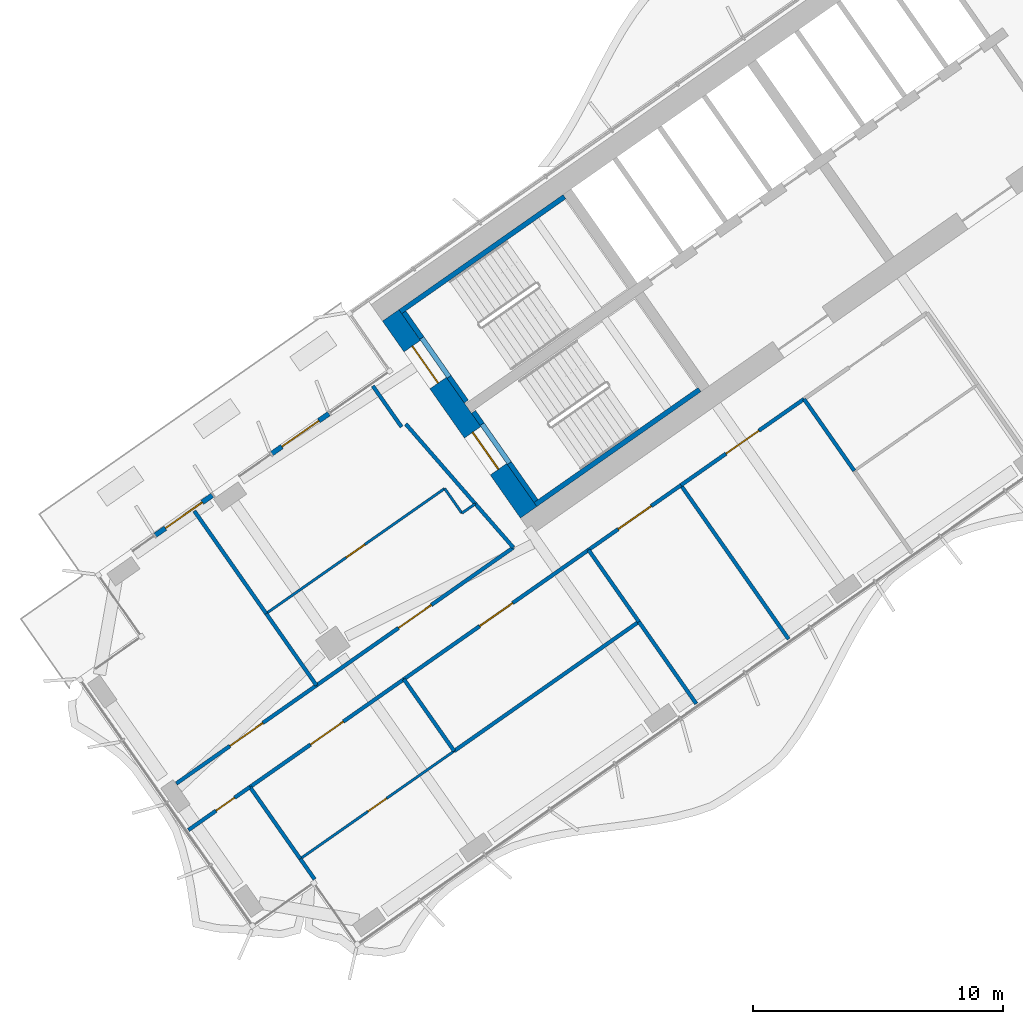
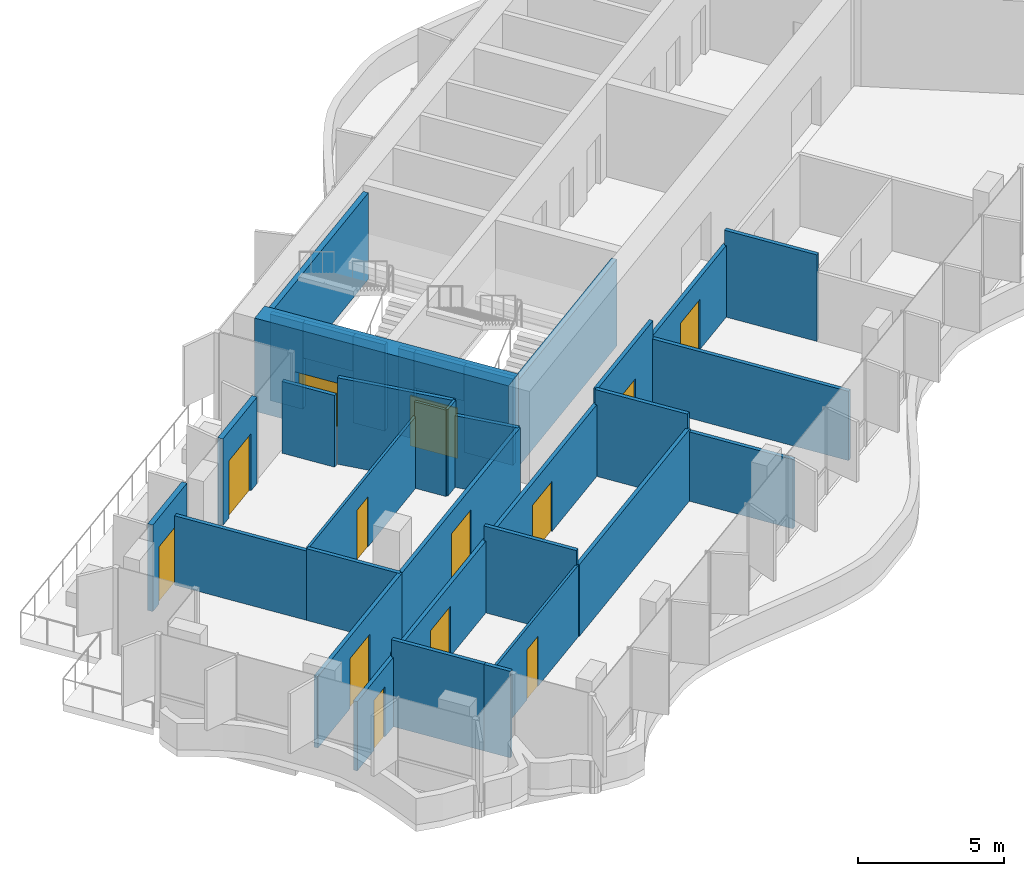
# One storey, part 13 of 24: 35 walls, 13 doors, 13 openings.
"""IFC4 building model written with IfcOpenShell, lengths in metres."""

from ifc_helpers import new_model, si_unit, direction, frame, frame_2d, origin, place, context, subcontext, project, spatial, polyline, rectangle, outline, extrude, material, layer, layer_set, type_object, element, fill, save


model = new_model("IFC4")

# Units and contexts
model_context = context("Model", 3, precision=1e-05, world=origin(), true_north=direction((0.0, 1.0)))
body_context = subcontext(model_context, "Body", "Model", "MODEL_VIEW")
ifc_project = project(units=[si_unit("LENGTHUNIT", "METRE"), si_unit("AREAUNIT", "SQUARE_METRE"), si_unit("VOLUMEUNIT", "CUBIC_METRE"), si_unit("PLANEANGLEUNIT", "RADIAN"), si_unit("MASSUNIT", "GRAM", prefix="KILO")], contexts=[model_context])

# Site, building, storey
site_placement = place(None, origin())
site = spatial("IfcSite", under=ifc_project, at=site_placement, CompositionType="ELEMENT")
building_placement = place(site_placement, origin())
building = spatial("IfcBuilding", under=site, at=building_placement, Name="Tel Ilan Convention Tower", CompositionType="ELEMENT")
storey_placement = place(building_placement, frame((0.0, 0.0, 132.0)))
storey = spatial("IfcBuildingStorey", under=building, at=storey_placement, Name="L29", CompositionType="ELEMENT", Elevation=132.0)

# Wall, openings, doors
ifc_material_1 = material(Name="Concrete C50/60", Category="concrete")
ifc_layer_1 = layer(ifc_material_1, 0.800048828125)
ifc_layer_set_1 = layer_set([ifc_layer_1], Name="Core Shear Wall 800 mm C50/60")
wall_type_1 = type_object("IfcWallType", Name="Core Shear Wall 800 mm C50/60", PredefinedType="SHEAR", material=ifc_layer_set_1)
wall_1_placement = place(storey_placement, frame((-21.6748046875, -15.4208984375, 0.0), z_axis=(0.0, 0.0, 1.0), x_axis=(-0.573581815061, 0.819148278049, 0.0)))
wall_1 = element("IfcWall", 1, at=wall_1_placement, inside=storey, type_object=wall_type_1, Name="L29 core wall W-end", PredefinedType="SHEAR", context=body_context, shape_type="SweptSolid", body=[
    extrude(outline(polyline([(0.0, 0.39990234375), (0.0, -0.39990234375), (9.599853515625, -0.400146484375), (9.599853515625, 0.39990234375), (0.0, 0.39990234375)])), origin(), (0.0, 0.0, 1.0), 3.89990234375),
])
opening_1_placement = place(wall_1_placement, frame((6.300048828125, 0.0, 0.0)))
opening_1 = element("IfcOpeningElement", 2, at=opening_1_placement, cuts=wall_1, Name="Opening SD2301", PredefinedType="OPENING", context=body_context, shape_type="SweptSolid", body=[
    extrude(rectangle(XDim=1.800048828125, YDim=2.10009765625, at=frame_2d((0.89990234375, 1.050048828125))), frame((0.0, 0.409912109375, 0.0), z_axis=(0.0, -1.0, 0.0), x_axis=(1.0, 0.0, 0.0)), (0.0, 0.0, 1.0), 0.820068359375),
])
opening_2_placement = place(wall_1_placement, frame((2.10009765625, 0.0, 0.0)))
opening_2 = element("IfcOpeningElement", 3, at=opening_2_placement, cuts=wall_1, Name="Opening SD2302", PredefinedType="OPENING", context=body_context, shape_type="SweptSolid", body=[
    extrude(rectangle(XDim=1.800048828125, YDim=2.10009765625, at=frame_2d((0.89990234375, 1.050048828125))), frame((0.0, 0.409912109375, 0.0), z_axis=(0.0, -1.0, 0.0), x_axis=(1.0, 0.0, 0.0)), (0.0, 0.0, 1.0), 0.820068359375),
])
ifc_material_2 = material(Name="Galvanised Steel Door Leaf", Category="steel")
door_type_1 = type_object("IfcDoorType", Name="Stair Fire Door 1800 x 2100 FD60S", OperationType="NOTDEFINED", PredefinedType="DOOR", material=ifc_material_2)
door_1_placement = place(opening_1_placement, origin())
door_1 = element("IfcDoor", 4, at=door_1_placement, inside=storey, type_object=door_type_1, Name="Stair S1 door", OperationType="DOUBLE_DOOR_SINGLE_SWING", OverallHeight=2.10009765625, OverallWidth=1.800048828125, PredefinedType="DOOR", context=body_context, shape_type="SweptSolid", body=[
    extrude(rectangle(XDim=1.800048828125, YDim=2.10009765625, at=frame_2d((0.89990234375, 1.050048828125))), frame((0.0, 0.02490234375, 0.0), z_axis=(0.0, -1.0, 0.0), x_axis=(1.0, 0.0, 0.0)), (0.0, 0.0, 1.0), 0.050048828125),
])
fill(opening_1, door_1)
door_2_placement = place(opening_2_placement, origin())
door_2 = element("IfcDoor", 5, at=door_2_placement, inside=storey, type_object=door_type_1, Name="Stair S2 door", OperationType="DOUBLE_DOOR_SINGLE_SWING", OverallHeight=2.10009765625, OverallWidth=1.800048828125, PredefinedType="DOOR", context=body_context, shape_type="SweptSolid", body=[
    extrude(rectangle(XDim=1.800048828125, YDim=2.10009765625, at=frame_2d((0.89990234375, 1.050048828125))), frame((0.0, 0.02490234375, 0.0), z_axis=(0.0, -1.0, 0.0), x_axis=(1.0, 0.0, 0.0)), (0.0, 0.0, 1.0), 0.050048828125),
])
fill(opening_2, door_2)

# Wall, opening, door
ifc_material_3 = material(Name="Plasterboard on Steel Studs", Category="steel")
ifc_layer_2 = layer(ifc_material_3, 0.14990234375)
ifc_layer_set_2 = layer_set([ifc_layer_2], Name="Fire-rated Partition 150 EI 60")
wall_type_2 = type_object("IfcWallType", Name="Fire-rated Partition 150 EI 60", PredefinedType="PARTITIONING", material=ifc_layer_set_2)
wall_2_placement = place(storey_placement, frame((-30.145751953125, -22.329833984375, 0.0), z_axis=(0.0, 0.0, 1.0), x_axis=(0.819150657747, 0.573578416533, 0.0)))
wall_2 = element("IfcWall", 6, at=wall_2_placement, inside=storey, type_object=wall_type_2, Name="Partition 007", PredefinedType="PARTITIONING", context=body_context, shape_type="SweptSolid", body=[
    extrude(rectangle(XDim=9.5986328125, YDim=0.14990234375, at=frame_2d((4.79931640625, 0.0))), origin(), (0.0, 0.0, 1.0), 3.0),
])
opening_3_placement = place(wall_2_placement, frame((3.99951171875, 0.0, 0.0)))
opening_3 = element("IfcOpeningElement", 7, at=opening_3_placement, cuts=wall_2, Name="Opening L29-009", PredefinedType="OPENING", context=body_context, shape_type="SweptSolid", body=[
    extrude(rectangle(XDim=1.60009765625, YDim=2.10009765625, at=frame_2d((0.800048828125, 1.050048828125))), frame((0.0, 0.0849609375, 0.0), z_axis=(0.0, -1.0, 0.0), x_axis=(1.0, 0.0, 0.0)), (0.0, 0.0, 1.0), 0.169921875),
])
ifc_material_4 = material(Name="Timber Door Leaf in Steel Frame", Category="steel")
door_type_2 = type_object("IfcDoorType", Name="Tenant Suite Entrance Fire Door 1600x2100", OperationType="NOTDEFINED", PredefinedType="DOOR", material=ifc_material_4)
door_3_placement = place(opening_3_placement, origin())
door_3 = element("IfcDoor", 8, at=door_3_placement, inside=storey, type_object=door_type_2, Name="Door L29-009", OperationType="DOUBLE_DOOR_SINGLE_SWING", OverallHeight=2.10009765625, OverallWidth=1.60009765625, PredefinedType="DOOR", context=body_context, shape_type="SweptSolid", body=[
    extrude(rectangle(XDim=1.60009765625, YDim=2.10009765625, at=frame_2d((0.800048828125, 1.050048828125))), frame((0.0, 0.02490234375, 0.0), z_axis=(0.0, -1.0, 0.0), x_axis=(1.0, 0.0, 0.0)), (0.0, 0.0, 1.0), 0.050048828125),
])
fill(opening_3, door_3)

wall_3_placement = place(storey_placement, frame((-35.739013671875, -26.24658203125, 0.0), z_axis=(0.0, 0.0, 1.0), x_axis=(0.819149650018, 0.57357985571, 0.0)))
wall_3 = element("IfcWall", 9, at=wall_3_placement, inside=storey, type_object=wall_type_2, Name="Partition 008", PredefinedType="PARTITIONING", context=body_context, shape_type="SweptSolid", body=[
    extrude(rectangle(XDim=6.83203125, YDim=0.14990234375, at=frame_2d((3.416015625, 0.0))), origin(), (0.0, 0.0, 1.0), 3.0),
])
opening_4_placement = place(wall_3_placement, frame((2.615966796875, 0.0, 0.0)))
opening_4 = element("IfcOpeningElement", 10, at=opening_4_placement, cuts=wall_3, Name="Opening L29-011", PredefinedType="OPENING", context=body_context, shape_type="SweptSolid", body=[
    extrude(rectangle(XDim=1.60009765625, YDim=2.10009765625, at=frame_2d((0.800048828125, 1.050048828125))), frame((0.0, 0.0849609375, 0.0), z_axis=(0.0, -1.0, 0.0), x_axis=(1.0, 0.0, 0.0)), (0.0, 0.0, 1.0), 0.169921875),
])
door_4_placement = place(opening_4_placement, origin())
door_4 = element("IfcDoor", 11, at=door_4_placement, inside=storey, type_object=door_type_2, Name="Door L29-011", OperationType="DOUBLE_DOOR_SINGLE_SWING", OverallHeight=2.10009765625, OverallWidth=1.60009765625, PredefinedType="DOOR", context=body_context, shape_type="SweptSolid", body=[
    extrude(rectangle(XDim=1.60009765625, YDim=2.10009765625, at=frame_2d((0.800048828125, 1.050048828125))), frame((0.0, 0.02490234375, 0.0), z_axis=(0.0, -1.0, 0.0), x_axis=(1.0, 0.0, 0.0)), (0.0, 0.0, 1.0), 0.050048828125),
])
fill(opening_4, door_4)

wall_4_placement = place(storey_placement, frame((-10.6796875, -10.89599609375, 0.0), z_axis=(0.0, 0.0, 1.0), x_axis=(-0.819145946981, -0.573585144111, 0.0)))
wall_4 = element("IfcWall", 12, at=wall_4_placement, inside=storey, type_object=wall_type_2, Name="Partition 010", PredefinedType="PARTITIONING", context=body_context, shape_type="SweptSolid", body=[
    extrude(rectangle(XDim=6.004150390625, YDim=0.14990234375, at=frame_2d((3.001953125, 0.0))), origin(), (0.0, 0.0, 1.0), 3.0),
])
opening_5_placement = place(wall_4_placement, frame((2.201904296875, 0.0, 0.0)))
opening_5 = element("IfcOpeningElement", 13, at=opening_5_placement, cuts=wall_4, Name="Opening L29-003", PredefinedType="OPENING", context=body_context, shape_type="SweptSolid", body=[
    extrude(rectangle(XDim=1.60009765625, YDim=2.10009765625, at=frame_2d((0.800048828125, 1.050048828125))), frame((0.0, 0.0849609375, 0.0), z_axis=(0.0, -1.0, 0.0), x_axis=(1.0, 0.0, 0.0)), (0.0, 0.0, 1.0), 0.169921875),
])
door_5_placement = place(opening_5_placement, origin())
door_5 = element("IfcDoor", 14, at=door_5_placement, inside=storey, type_object=door_type_2, Name="Door L29-003", OperationType="DOUBLE_DOOR_SINGLE_SWING", OverallHeight=2.10009765625, OverallWidth=1.60009765625, PredefinedType="DOOR", context=body_context, shape_type="SweptSolid", body=[
    extrude(rectangle(XDim=1.60009765625, YDim=2.10009765625, at=frame_2d((0.800048828125, 1.050048828125))), frame((0.0, 0.02490234375, 0.0), z_axis=(0.0, -1.0, 0.0), x_axis=(1.0, 0.0, 0.0)), (0.0, 0.0, 1.0), 0.050048828125),
])
fill(opening_5, door_5)

wall_5_placement = place(storey_placement, frame((-15.594482421875, -14.337646484375, 0.0), z_axis=(0.0, 0.0, 1.0), x_axis=(-0.819165703328, -0.573556928727, 0.0)))
wall_5 = element("IfcWall", 15, at=wall_5_placement, inside=storey, type_object=wall_type_2, Name="Partition 011", PredefinedType="PARTITIONING", context=body_context, shape_type="SweptSolid", body=[
    extrude(rectangle(XDim=4.50390625, YDim=0.14990234375, at=frame_2d((2.251953125, 0.0))), origin(), (0.0, 0.0, 1.0), 3.6201171875),
])
opening_6_placement = place(wall_5_placement, frame((1.451904296875, 0.0, 0.0)))
opening_6 = element("IfcOpeningElement", 16, at=opening_6_placement, cuts=wall_5, Name="Opening L29-004", PredefinedType="OPENING", context=body_context, shape_type="SweptSolid", body=[
    extrude(rectangle(XDim=1.60009765625, YDim=2.10009765625, at=frame_2d((0.800048828125, 1.050048828125))), frame((0.0, 0.0849609375, 0.0), z_axis=(0.0, -1.0, 0.0), x_axis=(1.0, 0.0, 0.0)), (0.0, 0.0, 1.0), 0.169921875),
])
door_6_placement = place(opening_6_placement, origin())
door_6 = element("IfcDoor", 17, at=door_6_placement, inside=storey, type_object=door_type_2, Name="Door L29-004", OperationType="DOUBLE_DOOR_SINGLE_SWING", OverallHeight=2.10009765625, OverallWidth=1.60009765625, PredefinedType="DOOR", context=body_context, shape_type="SweptSolid", body=[
    extrude(rectangle(XDim=1.60009765625, YDim=2.10009765625, at=frame_2d((0.800048828125, 1.050048828125))), frame((0.0, 0.02490234375, 0.0), z_axis=(0.0, -1.0, 0.0), x_axis=(1.0, 0.0, 0.0)), (0.0, 0.0, 1.0), 0.050048828125),
])
fill(opening_6, door_6)

wall_6_placement = place(storey_placement, frame((-19.28076171875, -16.918701171875, 0.0), z_axis=(0.0, 0.0, 1.0), x_axis=(-0.819151661297, -0.57357698332, 0.0)))
wall_6 = element("IfcWall", 18, at=wall_6_placement, inside=storey, type_object=wall_type_2, Name="Partition 012", PredefinedType="PARTITIONING", context=body_context, shape_type="SweptSolid", body=[
    extrude(rectangle(XDim=9.004150390625, YDim=0.14990234375, at=frame_2d((4.501953125, 0.0))), origin(), (0.0, 0.0, 1.0), 3.0),
])
opening_7_placement = place(wall_6_placement, frame((3.701904296875, 0.0, 0.0)))
opening_7 = element("IfcOpeningElement", 19, at=opening_7_placement, cuts=wall_6, Name="Opening L29-005", PredefinedType="OPENING", context=body_context, shape_type="SweptSolid", body=[
    extrude(rectangle(XDim=1.60009765625, YDim=2.10009765625, at=frame_2d((0.800048828125, 1.050048828125))), frame((0.0, 0.0849609375, 0.0), z_axis=(0.0, -1.0, 0.0), x_axis=(1.0, 0.0, 0.0)), (0.0, 0.0, 1.0), 0.169921875),
])
door_7_placement = place(opening_7_placement, origin())
door_7 = element("IfcDoor", 20, at=door_7_placement, inside=storey, type_object=door_type_2, Name="Door L29-005", OperationType="DOUBLE_DOOR_SINGLE_SWING", OverallHeight=2.10009765625, OverallWidth=1.60009765625, PredefinedType="DOOR", context=body_context, shape_type="SweptSolid", body=[
    extrude(rectangle(XDim=1.60009765625, YDim=2.10009765625, at=frame_2d((0.800048828125, 1.050048828125))), frame((0.0, 0.02490234375, 0.0), z_axis=(0.0, -1.0, 0.0), x_axis=(1.0, 0.0, 0.0)), (0.0, 0.0, 1.0), 0.050048828125),
])
fill(opening_7, door_7)

wall_7_placement = place(storey_placement, frame((-26.653076171875, -22.080810546875, 0.0), z_axis=(0.0, 0.0, 1.0), x_axis=(-0.819149375276, -0.573580248078, 0.0)))
wall_7 = element("IfcWall", 21, at=wall_7_placement, inside=storey, type_object=wall_type_2, Name="Partition 013", PredefinedType="PARTITIONING", context=body_context, shape_type="SweptSolid", body=[
    extrude(rectangle(XDim=7.504150390625, YDim=0.14990234375, at=frame_2d((3.751953125, 0.0))), origin(), (0.0, 0.0, 1.0), 3.0),
])
opening_8_placement = place(wall_7_placement, frame((2.951904296875, 0.0, 0.0)))
opening_8 = element("IfcOpeningElement", 22, at=opening_8_placement, cuts=wall_7, Name="Opening L29-006", PredefinedType="OPENING", context=body_context, shape_type="SweptSolid", body=[
    extrude(rectangle(XDim=1.60009765625, YDim=2.10009765625, at=frame_2d((0.800048828125, 1.050048828125))), frame((0.0, 0.0849609375, 0.0), z_axis=(0.0, -1.0, 0.0), x_axis=(1.0, 0.0, 0.0)), (0.0, 0.0, 1.0), 0.169921875),
])
door_8_placement = place(opening_8_placement, origin())
door_8 = element("IfcDoor", 23, at=door_8_placement, inside=storey, type_object=door_type_2, Name="Door L29-006", OperationType="DOUBLE_DOOR_SINGLE_SWING", OverallHeight=2.10009765625, OverallWidth=1.60009765625, PredefinedType="DOOR", context=body_context, shape_type="SweptSolid", body=[
    extrude(rectangle(XDim=1.60009765625, YDim=2.10009765625, at=frame_2d((0.800048828125, 1.050048828125))), frame((0.0, 0.02490234375, 0.0), z_axis=(0.0, -1.0, 0.0), x_axis=(1.0, 0.0, 0.0)), (0.0, 0.0, 1.0), 0.050048828125),
])
fill(opening_8, door_8)

wall_8_placement = place(storey_placement, frame((-32.796630859375, -26.3828125, 0.0), z_axis=(0.0, 0.0, 1.0), x_axis=(-0.819197532854, -0.573511466464, 0.0)))
wall_8 = element("IfcWall", 24, at=wall_8_placement, inside=storey, type_object=wall_type_2, Name="Partition 014", PredefinedType="PARTITIONING", context=body_context, shape_type="SweptSolid", body=[
    extrude(rectangle(XDim=3.001953125, YDim=0.14990234375, at=frame_2d((1.5009765625, 0.0))), origin(), (0.0, 0.0, 1.0), 2.89990234375),
])
opening_9_placement = place(wall_8_placement, frame((0.7509765625, 0.0, 0.0)))
opening_9 = element("IfcOpeningElement", 25, at=opening_9_placement, cuts=wall_8, Name="Opening L29-008", PredefinedType="OPENING", context=body_context, shape_type="SweptSolid", body=[
    extrude(rectangle(XDim=0.89990234375, YDim=2.10009765625, at=frame_2d((0.449951171875, 1.050048828125))), frame((0.0, 0.0849609375, 0.0), z_axis=(0.0, -1.0, 0.0), x_axis=(1.0, 0.0, 0.0)), (0.0, 0.0, 1.0), 0.169921875),
])
ifc_material_5 = material(Name="Timber Door Leaf in Steel Frame", Category="steel")
door_type_3 = type_object("IfcDoorType", Name="Room Fire Door 900x2100", OperationType="NOTDEFINED", PredefinedType="DOOR", material=ifc_material_5)
door_9_placement = place(opening_9_placement, origin())
door_9 = element("IfcDoor", 26, at=door_9_placement, inside=storey, type_object=door_type_3, Name="Door L29-008", OperationType="SINGLE_SWING_RIGHT", OverallHeight=2.10009765625, OverallWidth=0.89990234375, PredefinedType="DOOR", context=body_context, shape_type="SweptSolid", body=[
    extrude(rectangle(XDim=0.89990234375, YDim=2.10009765625, at=frame_2d((0.449951171875, 1.050048828125))), frame((0.0, 0.02490234375, 0.0), z_axis=(0.0, -1.0, 0.0), x_axis=(1.0, 0.0, 0.0)), (0.0, 0.0, 1.0), 0.050048828125),
])
fill(opening_9, door_9)

# Walls
wall_9_placement = place(storey_placement, frame((-26.74609375, -12.013671875, 0.0), z_axis=(0.0, 0.0, 1.0), x_axis=(-0.573568836472, 0.819157365729, 0.0)))
element("IfcWall", 27, at=wall_9_placement, inside=storey, type_object=wall_type_2, Name="Partition 034", PredefinedType="PARTITIONING", context=body_context, shape_type="SweptSolid", body=[
    extrude(rectangle(XDim=2.000244140625, YDim=0.14990234375, at=frame_2d((1.0, 0.0))), origin(), (0.0, 0.0, 1.0), 3.0),
])
wall_10_placement = place(storey_placement, frame((-23.802490234375, -15.082275390625, 0.0), z_axis=(0.0, 0.0, 1.0), x_axis=(-0.656784983898, 0.754077903751, 0.0)))
element("IfcWall", 28, at=wall_10_placement, inside=storey, type_object=wall_type_2, Name="Partition 035", PredefinedType="PARTITIONING", context=body_context, shape_type="SweptSolid", body=[
    extrude(rectangle(XDim=4.225830078125, YDim=0.14990234375, at=frame_2d((2.11279296875, 0.0))), origin(), (0.0, 0.0, 1.0), 3.6201171875),
])
wall_11_placement = place(storey_placement, frame((-22.28369140625, -16.826416015625, 0.0), z_axis=(0.0, 0.0, 1.0), x_axis=(-0.656749820099, 0.754108529192, 0.0)))
element("IfcWall", 29, at=wall_11_placement, inside=storey, type_object=wall_type_2, Name="Partition 036", PredefinedType="PARTITIONING", context=body_context, shape_type="SweptSolid", body=[
    extrude(rectangle(XDim=2.317138671875, YDim=0.14990234375, at=frame_2d((1.15869140625, 0.0))), origin(), (0.0, 0.0, 1.0), 3.0),
])
wall_12_placement = place(storey_placement, frame((-32.152587890625, -19.46044921875, 0.0), z_axis=(0.0, 0.0, 1.0), x_axis=(-0.573590165683, 0.819142430736, 0.0)))
element("IfcWall", 30, at=wall_12_placement, inside=storey, type_object=wall_type_2, Name="Partition 040", PredefinedType="PARTITIONING", context=body_context, shape_type="SweptSolid", body=[
    extrude(rectangle(XDim=4.9990234375, YDim=0.14990234375, at=frame_2d((2.49951171875, 0.0))), origin(), (0.0, 0.0, 1.0), 2.89990234375),
])
wall_13_placement = place(storey_placement, frame((-30.14453125, -22.328369140625, 0.0), z_axis=(0.0, 0.0, 1.0), x_axis=(-0.573565328398, 0.819159822049, 0.0)))
element("IfcWall", 31, at=wall_13_placement, inside=storey, type_object=wall_type_2, Name="Partition 041", PredefinedType="PARTITIONING", context=body_context, shape_type="SweptSolid", body=[
    extrude(rectangle(XDim=3.500244140625, YDim=0.14990234375, at=frame_2d((1.75, 0.0))), origin(), (0.0, 0.0, 1.0), 3.0),
])
wall_14_placement = place(storey_placement, frame((-8.673583984375, -13.764404296875, 0.0), z_axis=(0.0, 0.0, 1.0), x_axis=(-0.573612130335, 0.819127049933, 0.0)))
element("IfcWall", 32, at=wall_14_placement, inside=storey, type_object=wall_type_2, Name="Partition 044", PredefinedType="PARTITIONING", context=body_context, shape_type="SweptSolid", body=[
    extrude(rectangle(XDim=3.500244140625, YDim=0.14990234375, at=frame_2d((1.75, 0.0))), origin(), (0.0, 0.0, 1.0), 3.6201171875),
])
wall_15_placement = place(storey_placement, frame((-11.29443359375, -20.482421875, 0.0), z_axis=(0.0, 0.0, 1.0), x_axis=(-0.573560650686, 0.819163097304, 0.0)))
element("IfcWall", 33, at=wall_15_placement, inside=storey, type_object=wall_type_2, Name="Partition 045", PredefinedType="PARTITIONING", context=body_context, shape_type="SweptSolid", body=[
    extrude(rectangle(XDim=7.5, YDim=0.14990234375, at=frame_2d((3.75, 0.0))), origin(), (0.0, 0.0, 1.0), 2.89990234375),
])
wall_16_placement = place(storey_placement, frame((-17.273681640625, -19.78857421875, 0.0), z_axis=(0.0, 0.0, 1.0), x_axis=(-0.573602698703, 0.819133654565, 0.0)))
element("IfcWall", 34, at=wall_16_placement, inside=storey, type_object=wall_type_2, Name="Partition 046", PredefinedType="PARTITIONING", context=body_context, shape_type="SweptSolid", body=[
    extrude(rectangle(XDim=3.501953125, YDim=0.14990234375, at=frame_2d((1.7509765625, 0.0))), origin(), (0.0, 0.0, 1.0), 3.6201171875),
])
wall_17_placement = place(storey_placement, frame((-14.98046875, -23.0634765625, 0.0), z_axis=(0.0, 0.0, 1.0), x_axis=(-0.57356471828, 0.819160249246, 0.0)))
element("IfcWall", 35, at=wall_17_placement, inside=storey, type_object=wall_type_2, Name="Partition 047", PredefinedType="PARTITIONING", context=body_context, shape_type="SweptSolid", body=[
    extrude(rectangle(XDim=4.001220703125, YDim=0.14990234375, at=frame_2d((2.00048828125, 0.0))), origin(), (0.0, 0.0, 1.0), 2.89990234375),
])
wall_18_placement = place(storey_placement, frame((-17.27490234375, -19.786865234375, 0.0), z_axis=(0.0, 0.0, 1.0), x_axis=(-0.819154173185, -0.573573395961, 0.0)))
element("IfcWall", 36, at=wall_18_placement, inside=storey, type_object=wall_type_2, Name="Partition 048", PredefinedType="PARTITIONING", context=body_context, shape_type="SweptSolid", body=[
    extrude(rectangle(XDim=9.0, YDim=0.14990234375, at=frame_2d((4.5, 0.0))), origin(), (0.0, 0.0, 1.0), 3.0),
])
wall_19_placement = place(storey_placement, frame((-24.647216796875, -24.948974609375, 0.0), z_axis=(0.0, 0.0, 1.0), x_axis=(-0.573598101901, 0.81913687348, 0.0)))
element("IfcWall", 37, at=wall_19_placement, inside=storey, type_object=wall_type_2, Name="Partition 049", PredefinedType="PARTITIONING", context=body_context, shape_type="SweptSolid", body=[
    extrude(rectangle(XDim=3.5, YDim=0.14990234375, at=frame_2d((1.75, 0.0))), origin(), (0.0, 0.0, 1.0), 3.6201171875),
])
wall_20_placement = place(storey_placement, frame((-30.21728515625, -30.070068359375, 0.0), z_axis=(0.0, 0.0, 1.0), x_axis=(-0.573560748432, 0.819163028864, 0.0)))
element("IfcWall", 38, at=wall_20_placement, inside=storey, type_object=wall_type_2, Name="Partition 051", PredefinedType="PARTITIONING", context=body_context, shape_type="SweptSolid", body=[
    extrude(rectangle(XDim=0.9990234375, YDim=0.14990234375, at=frame_2d((0.49951171875, 0.0))), origin(), (0.0, 0.0, 1.0), 3.6201171875),
])
wall_21_placement = place(storey_placement, frame((-30.791015625, -29.2509765625, 0.0), z_axis=(0.0, 0.0, 1.0), x_axis=(-0.573518520844, 0.819192594113, 0.0)))
element("IfcWall", 39, at=wall_21_placement, inside=storey, type_object=wall_type_2, Name="Partition 052", PredefinedType="PARTITIONING", context=body_context, shape_type="SweptSolid", body=[
    extrude(rectangle(XDim=3.5, YDim=0.14990234375, at=frame_2d((1.75, 0.0))), origin(), (0.0, 0.0, 1.0), 3.6201171875),
])
ifc_material_6 = material(Name="Plasterboard on Steel Studs", Category="steel")
ifc_layer_3 = layer(ifc_material_6, 0.10009765625)
ifc_layer_set_3 = layer_set([ifc_layer_3], Name="Plasterboard Partition 100")
wall_type_3 = type_object("IfcWallType", Name="Plasterboard Partition 100", PredefinedType="PARTITIONING", material=ifc_layer_set_3)
wall_22_placement = place(storey_placement, frame((-24.337158203125, -15.4541015625, 0.0), z_axis=(0.0, 0.0, 1.0), x_axis=(0.819196675611, 0.573512690938, 0.0)))
element("IfcWall", 40, at=wall_22_placement, inside=storey, type_object=wall_type_3, Name="Partition 037", PredefinedType="PARTITIONING", context=body_context, shape_type="SweptSolid", body=[
    extrude(rectangle(XDim=0.65087890625, YDim=0.10009765625, at=frame_2d((0.325439453125, 0.0))), origin(), (0.0, 0.0, 1.0), 3.6201171875),
])
wall_23_placement = place(storey_placement, frame((-25.026123046875, -14.47021484375, 0.0), z_axis=(0.0, 0.0, 1.0), x_axis=(0.57359875229, -0.819136418047, 0.0)))
element("IfcWall", 41, at=wall_23_placement, inside=storey, type_object=wall_type_3, Name="Partition 038", PredefinedType="PARTITIONING", context=body_context, shape_type="SweptSolid", body=[
    extrude(rectangle(XDim=1.201171875, YDim=0.10009765625, at=frame_2d((0.6005859375, 0.0))), origin(), (0.0, 0.0, 1.0), 3.6201171875),
])

# Wall, opening, door
wall_24_placement = place(storey_placement, frame((-32.152587890625, -19.46044921875, 0.0), z_axis=(0.0, 0.0, 1.0), x_axis=(0.819139624372, 0.573594173421, 0.0)))
wall_24 = element("IfcWall", 42, at=wall_24_placement, inside=storey, type_object=wall_type_3, Name="Partition 039", PredefinedType="PARTITIONING", context=body_context, shape_type="SweptSolid", body=[
    extrude(rectangle(XDim=8.699951171875, YDim=0.10009765625, at=frame_2d((4.35009765625, 0.0))), origin(), (0.0, 0.0, 1.0), 3.0),
])
opening_10_placement = place(wall_24_placement, frame((3.89990234375, 0.0, 0.0)))
opening_10 = element("IfcOpeningElement", 43, at=opening_10_placement, cuts=wall_24, Name="Opening L29-010", PredefinedType="OPENING", context=body_context, shape_type="SweptSolid", body=[
    extrude(rectangle(XDim=0.89990234375, YDim=2.10009765625, at=frame_2d((0.449951171875, 1.050048828125))), frame((0.0, 0.06005859375, 0.0), z_axis=(0.0, -1.0, 0.0), x_axis=(1.0, 0.0, 0.0)), (0.0, 0.0, 1.0), 0.1201171875),
])
ifc_material_7 = material(Name="Timber Door Leaf in Steel Frame", Category="steel")
door_type_4 = type_object("IfcDoorType", Name="Room Timber Door 900x2100", OperationType="NOTDEFINED", PredefinedType="DOOR", material=ifc_material_7)
door_10_placement = place(opening_10_placement, origin())
door_10 = element("IfcDoor", 44, at=door_10_placement, inside=storey, type_object=door_type_4, Name="Door L29-010", OperationType="SINGLE_SWING_RIGHT", OverallHeight=2.10009765625, OverallWidth=0.89990234375, PredefinedType="DOOR", context=body_context, shape_type="SweptSolid", body=[
    extrude(rectangle(XDim=0.89990234375, YDim=2.10009765625, at=frame_2d((0.449951171875, 1.050048828125))), frame((0.0, 0.02490234375, 0.0), z_axis=(0.0, -1.0, 0.0), x_axis=(1.0, 0.0, 0.0)), (0.0, 0.0, 1.0), 0.050048828125),
])
fill(opening_10, door_10)

wall_25_placement = place(storey_placement, frame((-24.646484375, -24.949951171875, 0.0), z_axis=(0.0, 0.0, 1.0), x_axis=(-0.819163097304, -0.573560650686, 0.0)))
wall_25 = element("IfcWall", 45, at=wall_25_placement, inside=storey, type_object=wall_type_3, Name="Partition 050", PredefinedType="PARTITIONING", context=body_context, shape_type="SweptSolid", body=[
    extrude(rectangle(XDim=7.5, YDim=0.10009765625, at=frame_2d((3.75, 0.0))), origin(), (0.0, 0.0, 1.0), 3.0),
])
opening_11_placement = place(wall_25_placement, frame((3.300048828125, 0.0, 0.0)))
opening_11 = element("IfcOpeningElement", 46, at=opening_11_placement, cuts=wall_25, Name="Opening L29-007", PredefinedType="OPENING", context=body_context, shape_type="SweptSolid", body=[
    extrude(rectangle(XDim=0.89990234375, YDim=2.10009765625, at=frame_2d((0.449951171875, 1.050048828125))), frame((0.0, 0.06005859375, 0.0), z_axis=(0.0, -1.0, 0.0), x_axis=(1.0, 0.0, 0.0)), (0.0, 0.0, 1.0), 0.1201171875),
])
door_11_placement = place(opening_11_placement, origin())
door_11 = element("IfcDoor", 47, at=door_11_placement, inside=storey, type_object=door_type_4, Name="Door L29-007", OperationType="SINGLE_SWING_LEFT", OverallHeight=2.10009765625, OverallWidth=0.89990234375, PredefinedType="DOOR", context=body_context, shape_type="SweptSolid", body=[
    extrude(rectangle(XDim=0.89990234375, YDim=2.10009765625, at=frame_2d((0.449951171875, 1.050048828125))), frame((0.0, 0.02490234375, 0.0), z_axis=(0.0, -1.0, 0.0), x_axis=(1.0, 0.0, 0.0)), (0.0, 0.0, 1.0), 0.050048828125),
])
fill(opening_11, door_11)

# Walls
ifc_material_8 = material(Name="Concrete C30/37", Category="concrete")
ifc_layer_4 = layer(ifc_material_8, 0.199951171875)
ifc_layer_set_4 = layer_set([ifc_layer_4], Name="Stair and Shaft Lining Wall 200 mm C30/37")
wall_type_4 = type_object("IfcWallType", Name="Stair and Shaft Lining Wall 200 mm C30/37", PredefinedType="SOLIDWALL", material=ifc_layer_set_4)
wall_26_placement = place(storey_placement, frame((-20.242919921875, -2.821044921875, 0.0), z_axis=(0.0, 0.0, 1.0), x_axis=(-0.819141584393, -0.57359137434, 0.0)))
element("IfcWall", 48, at=wall_26_placement, inside=storey, type_object=wall_type_4, Name="L29 core wall lining-S1-t1", PredefinedType="SOLIDWALL", context=body_context, shape_type="SweptSolid", body=[
    extrude(rectangle(XDim=7.999755859375, YDim=0.199951171875, at=frame_2d((4.0, 0.0))), origin(), (0.0, 0.0, 1.0), 3.6201171875),
])
wall_27_placement = place(storey_placement, frame((-24.16162109375, -10.99755859375, 0.0), z_axis=(0.0, 0.0, 1.0), x_axis=(-0.573612502218, 0.819126789514, 0.0)))
element("IfcWall", 49, at=wall_27_placement, inside=storey, type_object=wall_type_4, Name="L29 core wall lining-S1-u1-0", PredefinedType="SOLIDWALL", context=body_context, shape_type="SweptSolid", body=[
    extrude(rectangle(XDim=1.2001953125, YDim=0.199951171875, at=frame_2d((0.60009765625, 0.0))), origin(), (0.0, 0.0, 1.0), 3.6201171875),
])
wall_28_placement = place(storey_placement, frame((-25.939697265625, -8.4580078125, 0.0), z_axis=(0.0, 0.0, 1.0), x_axis=(-0.573619628835, 0.819121798889, 0.0)))
element("IfcWall", 50, at=wall_28_placement, inside=storey, type_object=wall_type_4, Name="L29 core wall lining-S1-u1-1", PredefinedType="SOLIDWALL", context=body_context, shape_type="SweptSolid", body=[
    extrude(rectangle(XDim=1.25, YDim=0.199951171875, at=frame_2d((0.625, 0.0))), origin(), (0.0, 0.0, 1.0), 3.6201171875),
])
wall_29_placement = place(storey_placement, frame((-24.85009765625, -10.014404296875, 2.14990234375), z_axis=(0.0, 0.0, 1.0), x_axis=(-0.573505465124, 0.819201734296, 0.0)))
element("IfcWall", 51, at=wall_29_placement, inside=storey, type_object=wall_type_4, Name="L29 core wall lining-S1-u1-lintel", PredefinedType="SOLIDWALL", context=body_context, shape_type="SweptSolid", body=[
    extrude(rectangle(XDim=1.89990234375, YDim=0.199951171875, at=frame_2d((0.949951171875, 0.0))), origin(), (0.0, 0.0, 1.0), 1.47021484375),
])
wall_30_placement = place(storey_placement, frame((-14.851318359375, -10.52099609375, 0.0), z_axis=(0.0, 0.0, 1.0), x_axis=(-0.819141584393, -0.57359137434, 0.0)))
element("IfcWall", 52, at=wall_30_placement, inside=storey, type_object=wall_type_4, Name="L29 core wall lining-S2-t0", PredefinedType="SOLIDWALL", context=body_context, shape_type="SweptSolid", body=[
    extrude(rectangle(XDim=7.999755859375, YDim=0.199951171875, at=frame_2d((4.0, 0.0))), origin(), (0.0, 0.0, 1.0), 3.6201171875),
])
wall_31_placement = place(storey_placement, frame((-21.3798828125, -14.97021484375, 0.0), z_axis=(0.0, 0.0, 1.0), x_axis=(-0.573559770908, 0.819163713305, 0.0)))
element("IfcWall", 53, at=wall_31_placement, inside=storey, type_object=wall_type_4, Name="L29 core wall lining-S2-u1-0", PredefinedType="SOLIDWALL", context=body_context, shape_type="SweptSolid", body=[
    extrude(rectangle(XDim=1.849853515625, YDim=0.199951171875, at=frame_2d((0.9248046875, 0.0))), origin(), (0.0, 0.0, 1.0), 3.6201171875),
])
wall_32_placement = place(storey_placement, frame((-23.53076171875, -11.8984375, 0.0), z_axis=(0.0, 0.0, 1.0), x_axis=(-0.573708088123, 0.819059844958, 0.0)))
element("IfcWall", 54, at=wall_32_placement, inside=storey, type_object=wall_type_4, Name="L29 core wall lining-S2-u1-1", PredefinedType="SOLIDWALL", context=body_context, shape_type="SweptSolid", body=[
    extrude(rectangle(XDim=0.60009765625, YDim=0.199951171875, at=frame_2d((0.300048828125, 0.0))), origin(), (0.0, 0.0, 1.0), 3.6201171875),
])
wall_33_placement = place(storey_placement, frame((-22.44091796875, -13.454833984375, 2.14990234375), z_axis=(0.0, 0.0, 1.0), x_axis=(-0.573591692345, 0.819141361715, 0.0)))
element("IfcWall", 55, at=wall_33_placement, inside=storey, type_object=wall_type_4, Name="L29 core wall lining-S2-u1-lintel", PredefinedType="SOLIDWALL", context=body_context, shape_type="SweptSolid", body=[
    extrude(rectangle(XDim=1.900146484375, YDim=0.199951171875, at=frame_2d((0.9501953125, 0.0))), origin(), (0.0, 0.0, 1.0), 1.47021484375),
])

# Wall, opening, door
ifc_material_9 = material(Name="Aluminium composite cladding, bronze anodised on steel studs", Category="steel")
ifc_layer_5 = layer(ifc_material_9, 0.199951171875)
ifc_layer_set_5 = layer_set([ifc_layer_5], Name="TERRACE DOOR BAY WALL 200")
wall_type_5 = type_object("IfcWallType", Name="TERRACE DOOR BAY WALL 200", PredefinedType="SOLIDWALL", material=ifc_layer_set_5)
wall_34_placement = place(storey_placement, frame((-29.646484375, -11.480712890625, 0.0), z_axis=(0.0, 0.0, 1.0), x_axis=(-0.819145264869, -0.573586118244, 0.0)))
wall_34 = element("IfcWall", 56, at=wall_34_placement, inside=storey, type_object=wall_type_5, Name="Terrace door bay", PredefinedType="SOLIDWALL", context=body_context, shape_type="SweptSolid", body=[
    extrude(rectangle(XDim=2.77978515625, YDim=0.199951171875, at=frame_2d((1.389892578125, 0.0))), origin(), (0.0, 0.0, 1.0), 3.6201171875),
])
opening_12_placement = place(wall_34_placement, frame((0.489990234375, 0.0, 0.0)))
opening_12 = element("IfcOpeningElement", 57, at=opening_12_placement, cuts=wall_34, Name="Opening T29.03", PredefinedType="OPENING", context=body_context, shape_type="SweptSolid", body=[
    extrude(rectangle(XDim=1.800048828125, YDim=2.39990234375, at=frame_2d((0.89990234375, 1.199951171875))), frame((0.0, 0.10986328125, 0.0), z_axis=(0.0, -1.0, 0.0), x_axis=(1.0, 0.0, 0.0)), (0.0, 0.0, 1.0), 0.219970703125),
])
ifc_material_10 = material(Name="Aluminium framed glazed door, bronze anodised", Category="aluminium")
door_type_5 = type_object("IfcDoorType", Name="TERRACE DOUBLE DOOR 1800x2400", OperationType="NOTDEFINED", PredefinedType="DOOR", material=ifc_material_10)
door_12_placement = place(opening_12_placement, origin())
door_12 = element("IfcDoor", 58, at=door_12_placement, inside=storey, type_object=door_type_5, Name="Terrace door", OperationType="DOUBLE_DOOR_DOUBLE_SWING", OverallHeight=2.39990234375, OverallWidth=1.800048828125, PredefinedType="DOOR", context=body_context, shape_type="SweptSolid", body=[
    extrude(rectangle(XDim=1.800048828125, YDim=2.39990234375, at=frame_2d((0.89990234375, 1.199951171875))), frame((0.0, 0.02490234375, 0.0), z_axis=(0.0, -1.0, 0.0), x_axis=(1.0, 0.0, 0.0)), (0.0, 0.0, 1.0), 0.050048828125),
])
fill(opening_12, door_12)

wall_35_placement = place(storey_placement, frame((-34.299072265625, -14.73876953125, 0.0), z_axis=(0.0, 0.0, 1.0), x_axis=(-0.81917415632, -0.573544855802, 0.0)))
wall_35 = element("IfcWall", 59, at=wall_35_placement, inside=storey, type_object=wall_type_5, Name="Terrace door bay", PredefinedType="SOLIDWALL", context=body_context, shape_type="SweptSolid", body=[
    extrude(rectangle(XDim=2.780029296875, YDim=0.199951171875, at=frame_2d((1.39013671875, 0.0))), origin(), (0.0, 0.0, 1.0), 3.6201171875),
])
opening_13_placement = place(wall_35_placement, frame((0.489990234375, 0.0, 0.0)))
opening_13 = element("IfcOpeningElement", 60, at=opening_13_placement, cuts=wall_35, Name="Opening T29.04", PredefinedType="OPENING", context=body_context, shape_type="SweptSolid", body=[
    extrude(rectangle(XDim=1.800048828125, YDim=2.39990234375, at=frame_2d((0.89990234375, 1.199951171875))), frame((0.0, 0.10986328125, 0.0), z_axis=(0.0, -1.0, 0.0), x_axis=(1.0, 0.0, 0.0)), (0.0, 0.0, 1.0), 0.219970703125),
])
door_13_placement = place(opening_13_placement, origin())
door_13 = element("IfcDoor", 61, at=door_13_placement, inside=storey, type_object=door_type_5, Name="Terrace door", OperationType="DOUBLE_DOOR_DOUBLE_SWING", OverallHeight=2.39990234375, OverallWidth=1.800048828125, PredefinedType="DOOR", context=body_context, shape_type="SweptSolid", body=[
    extrude(rectangle(XDim=1.800048828125, YDim=2.39990234375, at=frame_2d((0.89990234375, 1.199951171875))), frame((0.0, 0.02490234375, 0.0), z_axis=(0.0, -1.0, 0.0), x_axis=(1.0, 0.0, 0.0)), (0.0, 0.0, 1.0), 0.050048828125),
])
fill(opening_13, door_13)

save(model, "model.ifc")
